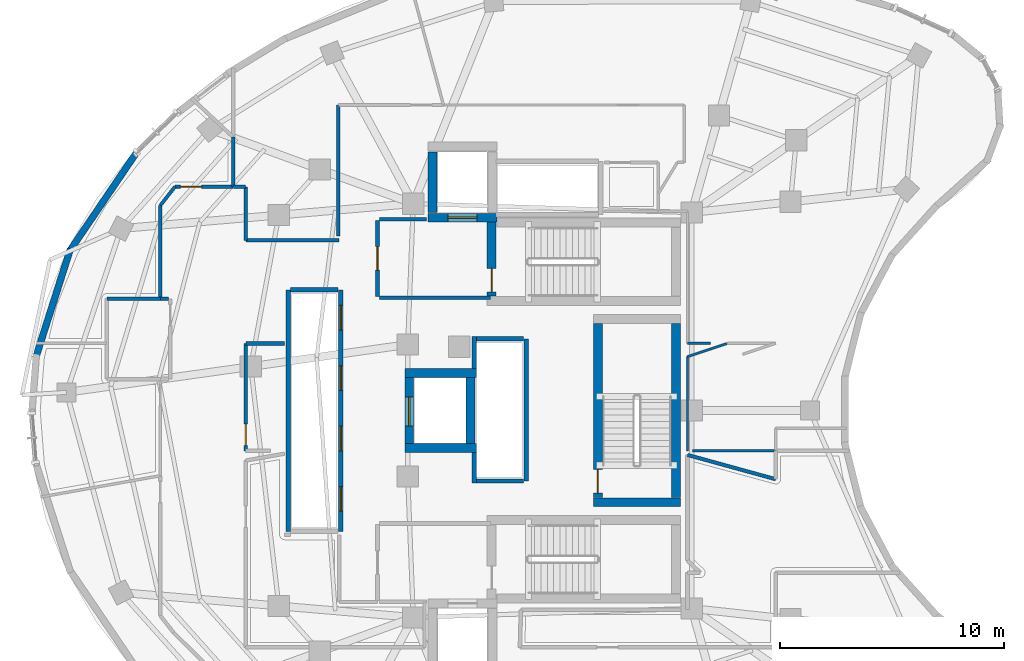
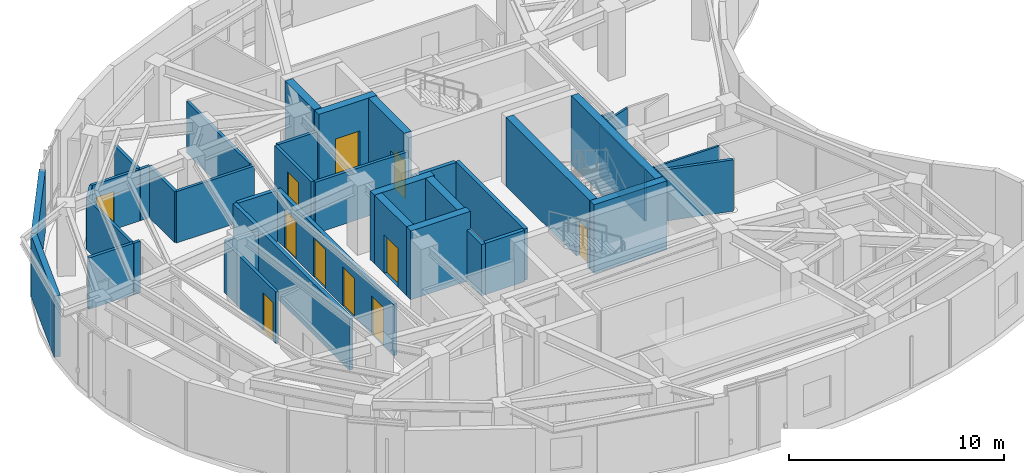
# One storey, part 8 of 13: 40 walls, 11 doors, 11 openings.
"""IFC4 building model written with IfcOpenShell, lengths in metres."""

from ifc_helpers import new_model, si_unit, direction, frame, frame_2d, origin, place, context, subcontext, project, spatial, rectangle, extrude, material, layer, layer_set, type_object, element, fill, save


model = new_model("IFC4")

# Units and contexts
model_context = context("Model", 3, precision=1e-05, world=origin(), true_north=direction((0.0, 1.0)))
body_context = subcontext(model_context, "Body", "Model", "MODEL_VIEW")
ifc_project = project(units=[si_unit("LENGTHUNIT", "METRE"), si_unit("AREAUNIT", "SQUARE_METRE"), si_unit("VOLUMEUNIT", "CUBIC_METRE"), si_unit("PLANEANGLEUNIT", "RADIAN"), si_unit("MASSUNIT", "GRAM", prefix="KILO")], contexts=[model_context])

# Site, building, storey
site_placement = place(None, origin())
site = spatial("IfcSite", under=ifc_project, at=site_placement, CompositionType="ELEMENT")
building_placement = place(site_placement, origin())
building = spatial("IfcBuilding", under=site, at=building_placement, Name="Korentha Bioscience Tower", CompositionType="ELEMENT")
storey_placement = place(building_placement, frame((0.0, 0.0, 260.39990234375)))
storey = spatial("IfcBuildingStorey", under=building, at=storey_placement, Name="L60", CompositionType="ELEMENT", Elevation=260.39990234375)

# Wall, opening, door
ifc_material_1 = material(Name="Double-Stud Acoustic Gypsum", Category="gypsum")
ifc_layer_1 = layer(ifc_material_1, 0.14990234375, Name="Double-Stud Acoustic Gypsum")
ifc_layer_set_1 = layer_set([ifc_layer_1], Name="Double-Stud Acoustic Gypsum (IW-L150)")
wall_type_1 = type_object("IfcWallType", Name="Acoustic Laboratory Partition Wall 150", PredefinedType="PARTITIONING", material=ifc_layer_set_1)
wall_1_placement = place(storey_placement, frame((17.0419921875, 37.010009765625, 0.0), z_axis=(0.0, 0.0, 1.0), x_axis=(-1.0, 0.0, 0.0)))
wall_1 = element("IfcWall", 1, at=wall_1_placement, inside=storey, type_object=wall_type_1, Name="L60 Staff Tea and Espresso Break Lounge 11 Entrance Wall", PredefinedType="PARTITIONING", context=body_context, shape_type="SweptSolid", body=[
    extrude(rectangle(XDim=2.58935546875, YDim=0.14990234375, at=frame_2d((1.294677734375, 0.0))), origin(), (0.0, 0.0, 1.0), 2.91015625),
])
opening_1_placement = place(wall_1_placement, frame((1.3994140625, 0.0, 0.0)))
opening_1 = element("IfcOpeningElement", 2, at=opening_1_placement, cuts=wall_1, Name="Opening ID-10L", PredefinedType="OPENING", context=body_context, shape_type="SweptSolid", body=[
    extrude(rectangle(XDim=0.949951171875, YDim=2.14990234375, at=frame_2d((0.47509765625, 1.074951171875))), frame((0.0, 0.08984375, 0.0), z_axis=(0.0, -1.0, 0.0), x_axis=(1.0, 0.0, 0.0)), (0.0, 0.0, 1.0), 0.1796875),
])
ifc_material_2 = material(Name="Phenolic Laminate Timber Core", Category="wood")
door_type_1 = type_object("IfcDoorType", Name="Laboratory Single Leaf Door 950x2150 Left", OperationType="SINGLE_SWING_LEFT", PredefinedType="DOOR", material=ifc_material_2)
door_1_placement = place(opening_1_placement, origin())
door_1 = element("IfcDoor", 3, at=door_1_placement, inside=storey, type_object=door_type_1, Name="L60 Staff Tea and Espresso Break Lounge 11 Door", OperationType="SINGLE_SWING_LEFT", OverallHeight=2.14990234375, OverallWidth=0.949951171875, PredefinedType="DOOR", context=body_context, shape_type="SweptSolid", body=[
    extrude(rectangle(XDim=0.949951171875, YDim=2.14990234375, at=frame_2d((0.47509765625, 1.074951171875))), frame((0.0, 0.02490234375, 0.0), z_axis=(0.0, -1.0, 0.0), x_axis=(1.0, 0.0, 0.0)), (0.0, 0.0, 1.0), 0.050048828125),
])
fill(opening_1, door_1)

# Walls
wall_2_placement = place(storey_placement, frame((21.739990234375, 40.64990234375, 0.0), z_axis=(0.0, 0.0, 1.0), x_axis=(0.0, -1.0, 0.0)))
element("IfcWall", 4, at=wall_2_placement, inside=storey, type_object=wall_type_1, Name="L60 Interior Partition 074", PredefinedType="PARTITIONING", context=body_context, shape_type="SweptSolid", body=[
    extrude(rectangle(XDim=5.849853515625, YDim=0.14990234375, at=frame_2d((2.9248046875, 0.0))), origin(), (0.0, 0.0, 1.0), 2.91015625),
])
wall_3_placement = place(storey_placement, frame((21.7900390625, 34.610107421875, 0.0), z_axis=(0.0, 0.0, 1.0), x_axis=(-1.0, 0.0, 0.0)))
element("IfcWall", 5, at=wall_3_placement, inside=storey, type_object=wall_type_1, Name="L60 Interior Partition 075", PredefinedType="PARTITIONING", context=body_context, shape_type="SweptSolid", body=[
    extrude(rectangle(XDim=4.179931640625, YDim=0.14990234375, at=frame_2d((2.08984375, 0.0))), origin(), (0.0, 0.0, 1.0), 2.91015625),
])
wall_4_placement = place(storey_placement, frame((17.610107421875, 34.610107421875, 0.0), z_axis=(0.0, 0.0, 1.0), x_axis=(0.0, 1.0, 0.0)))
element("IfcWall", 6, at=wall_4_placement, inside=storey, type_object=wall_type_1, Name="L60 Interior Partition 076", PredefinedType="PARTITIONING", context=body_context, shape_type="SweptSolid", body=[
    extrude(rectangle(XDim=2.389892578125, YDim=0.14990234375, at=frame_2d((1.19482421875, 0.0))), origin(), (0.0, 0.0, 1.0), 2.91015625),
])
wall_5_placement = place(storey_placement, frame((17.60009765625, 37.010009765625, 0.0), z_axis=(0.0, 0.0, 1.0), x_axis=(-1.0, 0.0, 0.0)))
element("IfcWall", 7, at=wall_5_placement, inside=storey, type_object=wall_type_1, Name="L60 Interior Partition 077", PredefinedType="PARTITIONING", context=body_context, shape_type="SweptSolid", body=[
    extrude(rectangle(XDim=0.548095703125, YDim=0.14990234375, at=frame_2d((0.27392578125, 0.0))), origin(), (0.0, 0.0, 1.0), 2.91015625),
])
wall_6_placement = place(storey_placement, frame((17.052001953125, 37.010009765625, 0.0), z_axis=(0.0, 0.0, 1.0), x_axis=(0.0, 1.0, 0.0)))
element("IfcWall", 8, at=wall_6_placement, inside=storey, type_object=wall_type_1, Name="L60 Interior Partition 078", PredefinedType="PARTITIONING", context=body_context, shape_type="SweptSolid", body=[
    extrude(rectangle(XDim=2.210205078125, YDim=0.14990234375, at=frame_2d((1.10498046875, 0.0))), origin(), (0.0, 0.0, 1.0), 2.91015625),
])
wall_7_placement = place(storey_placement, frame((14.44482421875, 37.006103515625, 0.0), z_axis=(0.0, 0.0, 1.0), x_axis=(-0.615836200745, -0.787874211948, 0.0)))
element("IfcWall", 9, at=wall_7_placement, inside=storey, type_object=wall_type_1, Name="L60 Interior Partition 080", PredefinedType="PARTITIONING", context=body_context, shape_type="SweptSolid", body=[
    extrude(rectangle(XDim=1.06005859375, YDim=0.14990234375, at=frame_2d((0.530029296875, 0.0))), origin(), (0.0, 0.0, 1.0), 2.91015625),
])
wall_8_placement = place(storey_placement, frame((13.7900390625, 36.164794921875, 0.0), z_axis=(0.0, 0.0, 1.0), x_axis=(0.0, -1.0, 0.0)))
element("IfcWall", 10, at=wall_8_placement, inside=storey, type_object=wall_type_1, Name="L60 Interior Partition 081", PredefinedType="PARTITIONING", context=body_context, shape_type="SweptSolid", body=[
    extrude(rectangle(XDim=4.15478515625, YDim=0.14990234375, at=frame_2d((2.077392578125, 0.0))), origin(), (0.0, 0.0, 1.0), 2.91015625),
])
ifc_material_3 = material(Name="Fire-Rated Framed Glass", Category="glass")
ifc_layer_2 = layer(ifc_material_3, 0.110107421875, Name="Fire-Rated Framed Glass")
ifc_layer_set_2 = layer_set([ifc_layer_2], Name="Fire-Rated Framed Glass (IW-G110)")
wall_type_2 = type_object("IfcWallType", Name="Demountable Glazed Office Partition 110", PredefinedType="MOVABLE", material=ifc_layer_set_2)
wall_9_placement = place(storey_placement, frame((41.29296875, 25.201904296875, 0.0), z_axis=(0.0, 0.0, 1.0), x_axis=(-1.0, 0.0, 0.0)))
element("IfcWall", 11, at=wall_9_placement, inside=storey, type_object=wall_type_2, Name="L60 Interior Partition 060", PredefinedType="MOVABLE", context=body_context, shape_type="SweptSolid", body=[
    extrude(rectangle(XDim=3.70947265625, YDim=0.110107421875, at=frame_2d((1.854736328125, 0.0))), origin(), (0.0, 0.0, 1.0), 2.91015625),
])
wall_10_placement = place(storey_placement, frame((37.360107421875, 25.201904296875, 0.0), z_axis=(0.0, 0.0, 1.0), x_axis=(0.0, 1.0, 0.0)))
element("IfcWall", 12, at=wall_10_placement, inside=storey, type_object=wall_type_2, Name="L60 Interior Partition 061", PredefinedType="MOVABLE", context=body_context, shape_type="SweptSolid", body=[
    extrude(rectangle(XDim=4.205078125, YDim=0.110107421875, at=frame_2d((2.1025390625, 0.0))), origin(), (0.0, 0.0, 1.0), 2.91015625),
])
wall_11_placement = place(storey_placement, frame((37.360107421875, 29.406982421875, 0.0), z_axis=(0.0, 0.0, 1.0), x_axis=(0.948299905075, 0.317375629238, 0.0)))
element("IfcWall", 13, at=wall_11_placement, inside=storey, type_object=wall_type_2, Name="L60 Interior Partition 062", PredefinedType="MOVABLE", context=body_context, shape_type="SweptSolid", body=[
    extrude(rectangle(XDim=1.85009765625, YDim=0.110107421875, at=frame_2d((0.925048828125, 0.0))), origin(), (0.0, 0.0, 1.0), 2.91015625),
])
wall_12_placement = place(storey_placement, frame((38.381591796875, 30.001953125, 0.0), z_axis=(0.0, 0.0, 1.0), x_axis=(-1.0, 0.0, 0.0)))
element("IfcWall", 14, at=wall_12_placement, inside=storey, type_object=wall_type_2, Name="L60 Interior Partition 063", PredefinedType="MOVABLE", context=body_context, shape_type="SweptSolid", body=[
    extrude(rectangle(XDim=1.021484375, YDim=0.110107421875, at=frame_2d((0.5107421875, 0.0))), origin(), (0.0, 0.0, 1.0), 2.91015625),
])

# Wall, opening, door
ifc_material_4 = material(Name="Gypsum-Clad Steel Stud", Category="steel")
ifc_layer_3 = layer(ifc_material_4, 0.159912109375, Name="Gypsum-Clad Steel Stud")
ifc_layer_set_3 = layer_set([ifc_layer_3], Name="Gypsum-Clad Steel Stud (IW-C160)")
wall_type_3 = type_object("IfcWallType", Name="Fire-Rated Corridor Partition Wall 160", PredefinedType="PARTITIONING", material=ifc_layer_set_3)
wall_13_placement = place(storey_placement, frame((23.5, 32.10009765625, 0.0), z_axis=(0.0, 0.0, 1.0), x_axis=(0.0, 1.0, 0.0)))
wall_13 = element("IfcWall", 15, at=wall_13_placement, inside=storey, type_object=wall_type_3, Name="L60 FFLN-CW Rated Enclosure Wall", PredefinedType="PARTITIONING", context=body_context, shape_type="SweptSolid", body=[
    extrude(rectangle(XDim=3.39990234375, YDim=0.159912109375, at=frame_2d((1.699951171875, 0.0))), origin(), (0.0, 0.0, 1.0), 2.91015625),
])
opening_2_placement = place(wall_13_placement, frame((1.175048828125, 0.0, 0.0)))
opening_2 = element("IfcOpeningElement", 16, at=opening_2_placement, cuts=wall_13, Name="Opening FD-90L", PredefinedType="OPENING", context=body_context, shape_type="SweptSolid", body=[
    extrude(rectangle(XDim=1.050048828125, YDim=2.14990234375, at=frame_2d((0.52490234375, 1.074951171875))), frame((0.0, 0.0947265625, 0.0), z_axis=(0.0, -1.0, 0.0), x_axis=(1.0, 0.0, 0.0)), (0.0, 0.0, 1.0), 0.189697265625),
])
ifc_material_5 = material(Name="Powder-Coated Fire-Rated Steel", Category="steel")
door_type_2 = type_object("IfcDoorType", Name="Stairwell Fire Exit Door 1050x2150 Left", OperationType="SINGLE_SWING_LEFT", PredefinedType="DOOR", material=ifc_material_5)
door_2_placement = place(opening_2_placement, origin())
door_2 = element("IfcDoor", 17, at=door_2_placement, inside=storey, type_object=door_type_2, Name="L60 North Firefighting Lobby Door", OperationType="SINGLE_SWING_LEFT", OverallHeight=2.14990234375, OverallWidth=1.050048828125, PredefinedType="DOOR", context=body_context, shape_type="SweptSolid", body=[
    extrude(rectangle(XDim=1.050048828125, YDim=2.14990234375, at=frame_2d((0.52490234375, 1.074951171875))), frame((0.0, 0.02490234375, 0.0), z_axis=(0.0, -1.0, 0.0), x_axis=(1.0, 0.0, 0.0)), (0.0, 0.0, 1.0), 0.050048828125),
])
fill(opening_2, door_2)

# Walls
wall_14_placement = place(storey_placement, frame((23.580078125, 32.050048828125, 0.0), z_axis=(0.0, 0.0, 1.0), x_axis=(1.0, 0.0, 0.0)))
element("IfcWall", 18, at=wall_14_placement, inside=storey, type_object=wall_type_3, Name="L60 Firefighting Lobby Return Wall FFLN-S", PredefinedType="PARTITIONING", context=body_context, shape_type="SweptSolid", body=[
    extrude(rectangle(XDim=4.969970703125, YDim=0.159912109375, at=frame_2d((2.48486328125, 0.0))), origin(), (0.0, 0.0, 1.0), 2.91015625),
])
wall_15_placement = place(storey_placement, frame((23.580078125, 35.550048828125, 0.0), z_axis=(0.0, 0.0, 1.0), x_axis=(1.0, 0.0, 0.0)))
element("IfcWall", 19, at=wall_15_placement, inside=storey, type_object=wall_type_3, Name="L60 Firefighting Lobby Return Wall FFLN-N", PredefinedType="PARTITIONING", context=body_context, shape_type="SweptSolid", body=[
    extrude(rectangle(XDim=2.119873046875, YDim=0.159912109375, at=frame_2d((1.06005859375, 0.0))), origin(), (0.0, 0.0, 1.0), 2.91015625),
])

# Wall, opening, door
wall_16_placement = place(storey_placement, frame((17.610107421875, 25.201904296875, 0.0), z_axis=(0.0, 0.0, 1.0), x_axis=(0.0, 1.0, 0.0)))
wall_16 = element("IfcWall", 20, at=wall_16_placement, inside=storey, type_object=wall_type_3, Name="L60 Consumables Archive Room 12 Entrance Wall", PredefinedType="PARTITIONING", context=body_context, shape_type="SweptSolid", body=[
    extrude(rectangle(XDim=4.796142578125, YDim=0.159912109375, at=frame_2d((2.39794921875, 0.0))), origin(), (0.0, 0.0, 1.0), 2.91015625),
])
opening_3_placement = place(wall_16_placement, frame((0.239990234375, 0.0, 0.0)))
opening_3 = element("IfcOpeningElement", 21, at=opening_3_placement, cuts=wall_16, Name="Opening ID-10R", PredefinedType="OPENING", context=body_context, shape_type="SweptSolid", body=[
    extrude(rectangle(XDim=0.949951171875, YDim=2.14990234375, at=frame_2d((0.47509765625, 1.074951171875))), frame((0.0, 0.0947265625, 0.0), z_axis=(0.0, -1.0, 0.0), x_axis=(1.0, 0.0, 0.0)), (0.0, 0.0, 1.0), 0.189697265625),
])
door_type_3 = type_object("IfcDoorType", Name="Laboratory Single Leaf Door 950x2150 Right", OperationType="SINGLE_SWING_RIGHT", PredefinedType="DOOR", material=ifc_material_2)
door_3_placement = place(opening_3_placement, origin())
door_3 = element("IfcDoor", 22, at=door_3_placement, inside=storey, type_object=door_type_3, Name="L60 Consumables Archive Room 12 Door", OperationType="SINGLE_SWING_RIGHT", OverallHeight=2.14990234375, OverallWidth=0.949951171875, PredefinedType="DOOR", context=body_context, shape_type="SweptSolid", body=[
    extrude(rectangle(XDim=0.949951171875, YDim=2.14990234375, at=frame_2d((0.47509765625, 1.074951171875))), frame((0.0, 0.02490234375, 0.0), z_axis=(0.0, -1.0, 0.0), x_axis=(1.0, 0.0, 0.0)), (0.0, 0.0, 1.0), 0.050048828125),
])
fill(opening_3, door_3)

# Walls
wall_17_placement = place(storey_placement, frame((13.800048828125, 31.989990234375, 0.0), z_axis=(0.0, 0.0, 1.0), x_axis=(1.0, 0.0, 0.0)))
element("IfcWall", 23, at=wall_17_placement, inside=storey, type_object=wall_type_3, Name="L60 Interior Partition 017", PredefinedType="PARTITIONING", context=body_context, shape_type="SweptSolid", body=[
    extrude(rectangle(XDim=0.35693359375, YDim=0.159912109375, at=frame_2d((0.178466796875, 0.0))), origin(), (0.0, 0.0, 1.0), 2.91015625),
])
wall_18_placement = place(storey_placement, frame((11.39990234375, 32.0, 0.0), z_axis=(0.0, 0.0, 1.0), x_axis=(1.0, 0.0, 0.0)))
element("IfcWall", 24, at=wall_18_placement, inside=storey, type_object=wall_type_3, Name="L60 Interior Partition 021", PredefinedType="PARTITIONING", context=body_context, shape_type="SweptSolid", body=[
    extrude(rectangle(XDim=2.39013671875, YDim=0.159912109375, at=frame_2d((1.195068359375, 0.0))), origin(), (0.0, 0.0, 1.0), 2.91015625),
])
wall_19_placement = place(storey_placement, frame((37.360107421875, 25.0146484375, 0.0), z_axis=(0.0, 0.0, 1.0), x_axis=(0.964088745179, -0.26558029185, 0.0)))
element("IfcWall", 25, at=wall_19_placement, inside=storey, type_object=wall_type_3, Name="L60 Interior Partition 048", PredefinedType="PARTITIONING", context=body_context, shape_type="SweptSolid", body=[
    extrude(rectangle(XDim=4.08349609375, YDim=0.159912109375, at=frame_2d((2.041748046875, 0.0))), origin(), (0.0, 0.0, 1.0), 2.91015625),
])
wall_20_placement = place(storey_placement, frame((17.610107421875, 29.998046875, 0.0), z_axis=(0.0, 0.0, 1.0), x_axis=(1.0, 0.0, 0.0)))
element("IfcWall", 26, at=wall_20_placement, inside=storey, type_object=wall_type_3, Name="L60 Interior Partition 083", PredefinedType="PARTITIONING", context=body_context, shape_type="SweptSolid", body=[
    extrude(rectangle(XDim=1.72998046875, YDim=0.159912109375, at=frame_2d((0.864990234375, 0.0))), origin(), (0.0, 0.0, 1.0), 2.91015625),
])
ifc_material_6 = material(Name="Honed Limestone Precast Concrete C40", Category="masonry")
ifc_layer_4 = layer(ifc_material_6, 0.300048828125, Name="Honed Limestone Precast Concrete C40")
ifc_layer_set_4 = layer_set([ifc_layer_4], Name="Honed Limestone Precast Concrete C40 (EW-ST300)")
wall_type_4 = type_object("IfcWallType", Name="Honed Limestone Cavity Spandrel Wall 300", PredefinedType="STANDARD", material=ifc_layer_set_4)
wall_21_placement = place(storey_placement, frame((12.72509765625, 38.533935546875, 0.0), z_axis=(0.0, 0.0, 1.0), x_axis=(-0.561547791281, -0.827444305139, 0.0)))
element("IfcWall", 27, at=wall_21_placement, inside=storey, type_object=wall_type_4, Name="L60 Limestone Perimeter Closure Wall 14", PredefinedType="STANDARD", context=body_context, shape_type="SweptSolid", body=[
    extrude(rectangle(XDim=5.4072265625, YDim=0.300048828125, at=frame_2d((2.70361328125, 0.0))), origin(), (0.0, 0.0, 1.0), 3.47021484375),
])
wall_22_placement = place(storey_placement, frame((9.775390625, 34.23828125, 0.0), z_axis=(0.0, 0.0, 1.0), x_axis=(-0.303876387353, -0.952711467974, 0.0)))
element("IfcWall", 28, at=wall_22_placement, inside=storey, type_object=wall_type_4, Name="L60 Limestone Perimeter Closure Wall 16", PredefinedType="STANDARD", context=body_context, shape_type="SweptSolid", body=[
    extrude(rectangle(XDim=5.15234375, YDim=0.300048828125, at=frame_2d((2.576171875, 0.0))), origin(), (0.0, 0.0, 1.0), 3.47021484375),
])
ifc_material_7 = material(Name="Autoclaved Aerated Concrete Block C25", Category="concrete")
ifc_layer_5 = layer(ifc_material_7, 0.199951171875, Name="Autoclaved Aerated Concrete Block C25")
ifc_layer_set_5 = layer_set([ifc_layer_5], Name="Autoclaved Aerated Concrete Block C25 (IW-S200)")
wall_type_5 = type_object("IfcWallType", Name="Lift and Riser Shaft Enclosure Wall 200", PredefinedType="PARTITIONING", material=ifc_layer_set_5)
wall_23_placement = place(storey_placement, frame((19.5, 21.60009765625, 0.0), z_axis=(0.0, 0.0, 1.0), x_axis=(0.0, 1.0, 0.0)))
element("IfcWall", 29, at=wall_23_placement, inside=storey, type_object=wall_type_5, Name="L60 Lift Bank MID Shaft Wall -X", PredefinedType="PARTITIONING", context=body_context, shape_type="SweptSolid", body=[
    extrude(rectangle(XDim=10.7998046875, YDim=0.199951171875, at=frame_2d((5.39990234375, 0.0))), origin(), (0.0, 0.0, 1.0), 2.91015625),
])

# Wall, openings, doors
wall_24_placement = place(storey_placement, frame((21.85009765625, 21.60009765625, 0.0), z_axis=(0.0, 0.0, 1.0), x_axis=(0.0, 1.0, 0.0)))
wall_24 = element("IfcWall", 30, at=wall_24_placement, inside=storey, type_object=wall_type_5, Name="L60 Lift Bank MID Shaft Wall +X", PredefinedType="PARTITIONING", context=body_context, shape_type="SweptSolid", body=[
    extrude(rectangle(XDim=10.7998046875, YDim=0.199951171875, at=frame_2d((5.39990234375, 0.0))), origin(), (0.0, 0.0, 1.0), 2.91015625),
])
opening_4_placement = place(wall_24_placement, frame((0.89990234375, 0.0, 0.0)))
opening_4 = element("IfcOpeningElement", 31, at=opening_4_placement, cuts=wall_24, Name="Opening LD-11", PredefinedType="OPENING", context=body_context, shape_type="SweptSolid", body=[
    extrude(rectangle(XDim=1.10009765625, YDim=2.199951171875, at=frame_2d((0.550048828125, 1.10009765625))), frame((0.0, 0.11474609375, 0.0), z_axis=(0.0, -1.0, 0.0), x_axis=(1.0, 0.0, 0.0)), (0.0, 0.0, 1.0), 0.229736328125),
])
opening_5_placement = place(wall_24_placement, frame((3.60009765625, 0.0, 0.0)))
opening_5 = element("IfcOpeningElement", 32, at=opening_5_placement, cuts=wall_24, Name="Opening LD-11", PredefinedType="OPENING", context=body_context, shape_type="SweptSolid", body=[
    extrude(rectangle(XDim=1.10009765625, YDim=2.199951171875, at=frame_2d((0.550048828125, 1.10009765625))), frame((0.0, 0.11474609375, 0.0), z_axis=(0.0, -1.0, 0.0), x_axis=(1.0, 0.0, 0.0)), (0.0, 0.0, 1.0), 0.229736328125),
])
opening_6_placement = place(wall_24_placement, frame((6.300048828125, 0.0, 0.0)))
opening_6 = element("IfcOpeningElement", 33, at=opening_6_placement, cuts=wall_24, Name="Opening LD-11", PredefinedType="OPENING", context=body_context, shape_type="SweptSolid", body=[
    extrude(rectangle(XDim=1.10009765625, YDim=2.199951171875, at=frame_2d((0.550048828125, 1.10009765625))), frame((0.0, 0.11474609375, 0.0), z_axis=(0.0, -1.0, 0.0), x_axis=(1.0, 0.0, 0.0)), (0.0, 0.0, 1.0), 0.229736328125),
])
opening_7_placement = place(wall_24_placement, frame((9.0, 0.0, 0.0)))
opening_7 = element("IfcOpeningElement", 34, at=opening_7_placement, cuts=wall_24, Name="Opening LD-11", PredefinedType="OPENING", context=body_context, shape_type="SweptSolid", body=[
    extrude(rectangle(XDim=1.10009765625, YDim=2.199951171875, at=frame_2d((0.550048828125, 1.10009765625))), frame((0.0, 0.11474609375, 0.0), z_axis=(0.0, -1.0, 0.0), x_axis=(1.0, 0.0, 0.0)), (0.0, 0.0, 1.0), 0.229736328125),
])
ifc_material_8 = material(Name="Brushed Stainless Steel 304", Category="steel")
door_type_4 = type_object("IfcDoorType", Name="Passenger Lift Sliding Landing Door 1100x2200", OperationType="DOUBLE_DOOR_SLIDING", PredefinedType="DOOR", material=ifc_material_8)
door_4_placement = place(opening_4_placement, origin())
door_4 = element("IfcDoor", 35, at=door_4_placement, inside=storey, type_object=door_type_4, Name="L60 PL-M1 Sliding Lift Landing Door", OperationType="DOUBLE_DOOR_SLIDING", OverallHeight=2.199951171875, OverallWidth=1.10009765625, PredefinedType="DOOR", context=body_context, shape_type="SweptSolid", body=[
    extrude(rectangle(XDim=1.10009765625, YDim=2.199951171875, at=frame_2d((0.550048828125, 1.10009765625))), frame((0.0, 0.02490234375, 0.0), z_axis=(0.0, -1.0, 0.0), x_axis=(1.0, 0.0, 0.0)), (0.0, 0.0, 1.0), 0.050048828125),
])
fill(opening_4, door_4)
door_5_placement = place(opening_5_placement, origin())
door_5 = element("IfcDoor", 36, at=door_5_placement, inside=storey, type_object=door_type_4, Name="L60 PL-M2 Sliding Lift Landing Door", OperationType="DOUBLE_DOOR_SLIDING", OverallHeight=2.199951171875, OverallWidth=1.10009765625, PredefinedType="DOOR", context=body_context, shape_type="SweptSolid", body=[
    extrude(rectangle(XDim=1.10009765625, YDim=2.199951171875, at=frame_2d((0.550048828125, 1.10009765625))), frame((0.0, 0.02490234375, 0.0), z_axis=(0.0, -1.0, 0.0), x_axis=(1.0, 0.0, 0.0)), (0.0, 0.0, 1.0), 0.050048828125),
])
fill(opening_5, door_5)
door_6_placement = place(opening_6_placement, origin())
door_6 = element("IfcDoor", 37, at=door_6_placement, inside=storey, type_object=door_type_4, Name="L60 PL-M3 Sliding Lift Landing Door", OperationType="DOUBLE_DOOR_SLIDING", OverallHeight=2.199951171875, OverallWidth=1.10009765625, PredefinedType="DOOR", context=body_context, shape_type="SweptSolid", body=[
    extrude(rectangle(XDim=1.10009765625, YDim=2.199951171875, at=frame_2d((0.550048828125, 1.10009765625))), frame((0.0, 0.02490234375, 0.0), z_axis=(0.0, -1.0, 0.0), x_axis=(1.0, 0.0, 0.0)), (0.0, 0.0, 1.0), 0.050048828125),
])
fill(opening_6, door_6)
door_7_placement = place(opening_7_placement, origin())
door_7 = element("IfcDoor", 38, at=door_7_placement, inside=storey, type_object=door_type_4, Name="L60 PL-M4 Sliding Lift Landing Door", OperationType="DOUBLE_DOOR_SLIDING", OverallHeight=2.199951171875, OverallWidth=1.10009765625, PredefinedType="DOOR", context=body_context, shape_type="SweptSolid", body=[
    extrude(rectangle(XDim=1.10009765625, YDim=2.199951171875, at=frame_2d((0.550048828125, 1.10009765625))), frame((0.0, 0.02490234375, 0.0), z_axis=(0.0, -1.0, 0.0), x_axis=(1.0, 0.0, 0.0)), (0.0, 0.0, 1.0), 0.050048828125),
])
fill(opening_7, door_7)

# Walls
wall_25_placement = place(storey_placement, frame((19.6201171875, 32.39990234375, 0.0), z_axis=(0.0, 0.0, 1.0), x_axis=(1.0, 0.0, 0.0)))
element("IfcWall", 39, at=wall_25_placement, inside=storey, type_object=wall_type_5, Name="L60 Lift Bank MID Shaft Wall +Y", PredefinedType="PARTITIONING", context=body_context, shape_type="SweptSolid", body=[
    extrude(rectangle(XDim=2.10986328125, YDim=0.199951171875, at=frame_2d((1.054931640625, 0.0))), origin(), (0.0, 0.0, 1.0), 2.91015625),
])
wall_26_placement = place(storey_placement, frame((27.830078125, 23.75, 0.0), z_axis=(0.0, 0.0, 1.0), x_axis=(0.0, 1.0, 0.0)))
element("IfcWall", 40, at=wall_26_placement, inside=storey, type_object=wall_type_5, Name="L60 Lift Bank HIGH Shaft Wall -XS", PredefinedType="PARTITIONING", context=body_context, shape_type="SweptSolid", body=[
    extrude(rectangle(XDim=1.365966796875, YDim=0.199951171875, at=frame_2d((0.68310546875, 0.0))), origin(), (0.0, 0.0, 1.0), 2.91015625),
])
wall_27_placement = place(storey_placement, frame((27.830078125, 28.884033203125, 0.0), z_axis=(0.0, 0.0, 1.0), x_axis=(0.0, 1.0, 0.0)))
element("IfcWall", 41, at=wall_27_placement, inside=storey, type_object=wall_type_5, Name="L60 Lift Bank HIGH Shaft Wall -XN", PredefinedType="PARTITIONING", context=body_context, shape_type="SweptSolid", body=[
    extrude(rectangle(XDim=1.416015625, YDim=0.199951171875, at=frame_2d((0.7080078125, 0.0))), origin(), (0.0, 0.0, 1.0), 2.91015625),
])
wall_28_placement = place(storey_placement, frame((30.14990234375, 23.85009765625, 0.0), z_axis=(0.0, 0.0, 1.0), x_axis=(0.0, 1.0, 0.0)))
element("IfcWall", 42, at=wall_28_placement, inside=storey, type_object=wall_type_5, Name="L60 Lift Bank HIGH Shaft Wall +X", PredefinedType="PARTITIONING", context=body_context, shape_type="SweptSolid", body=[
    extrude(rectangle(XDim=6.349853515625, YDim=0.199951171875, at=frame_2d((3.1748046875, 0.0))), origin(), (0.0, 0.0, 1.0), 2.91015625),
])
for number, where, z_axis, x_axis, name in (
    (43, (27.93408203125, 23.85009765625, 0.0), (0.0, 0.0, 1.0), (1.0, 0.0, 0.0), "L60 Lift Bank HIGH Shaft Wall -Y"),
    (44, (27.93408203125, 30.199951171875, 0.0), (0.0, 0.0, 1.0), (1.0, 0.0, 0.0), "L60 Lift Bank HIGH Shaft Wall +Y"),
):
    element("IfcWall", number, at=place(storey_placement, frame(where, z_axis=z_axis, x_axis=x_axis)), inside=storey, type_object=wall_type_5, Name=name, PredefinedType="PARTITIONING", context=body_context, shape_type="SweptSolid", body=[
        extrude(rectangle(XDim=2.095947265625, YDim=0.199951171875, at=frame_2d((1.0478515625, 0.0))), origin(), (0.0, 0.0, 1.0), 2.91015625),
    ])

# Wall, opening, door
ifc_material_9 = material(Name="Concrete C65", Category="concrete")
ifc_layer_6 = layer(ifc_material_9, 0.39990234375, Name="Concrete C65")
ifc_layer_set_6 = layer_set([ifc_layer_6], Name="Concrete C65 (CW-C65)")
wall_type_6 = type_object("IfcWallType", Name="Mid-Rise Core Shear Wall 400", PredefinedType="SHEAR", material=ifc_layer_set_6)
wall_29_placement = place(storey_placement, frame((28.60009765625, 32.110107421875, 0.0), z_axis=(0.0, 0.0, 1.0), x_axis=(0.0, 1.0, 0.0)))
wall_29 = element("IfcWall", 45, at=wall_29_placement, inside=storey, type_object=wall_type_6, Name="L60 Core Shear Wall ST1-W", PredefinedType="SHEAR", context=body_context, shape_type="SweptSolid", body=[
    extrude(rectangle(XDim=3.307861328125, YDim=0.39990234375, at=frame_2d((1.65380859375, 0.0))), origin(), (0.0, 0.0, 1.0), 3.900146484375),
])
opening_8_placement = place(wall_29_placement, frame((0.199951171875, 0.0, 0.0)))
opening_8 = element("IfcOpeningElement", 46, at=opening_8_placement, cuts=wall_29, Name="Opening FD-90L", PredefinedType="OPENING", context=body_context, shape_type="SweptSolid", body=[
    extrude(rectangle(XDim=1.050048828125, YDim=2.14990234375, at=frame_2d((0.52490234375, 1.074951171875))), frame((0.0, 0.21484375, 0.0), z_axis=(0.0, -1.0, 0.0), x_axis=(1.0, 0.0, 0.0)), (0.0, 0.0, 1.0), 0.4296875),
])
door_8_placement = place(opening_8_placement, origin())
door_8 = element("IfcDoor", 47, at=door_8_placement, inside=storey, type_object=door_type_2, Name="L60 ST-1 Fire Exit Stair Door", OperationType="SINGLE_SWING_LEFT", OverallHeight=2.14990234375, OverallWidth=1.050048828125, PredefinedType="DOOR", context=body_context, shape_type="SweptSolid", body=[
    extrude(rectangle(XDim=1.050048828125, YDim=2.14990234375, at=frame_2d((0.52490234375, 1.074951171875))), frame((0.0, 0.02490234375, 0.0), z_axis=(0.0, -1.0, 0.0), x_axis=(1.0, 0.0, 0.0)), (0.0, 0.0, 1.0), 0.050048828125),
])
fill(opening_8, door_8)

# Walls
wall_30_placement = place(storey_placement, frame((33.14990234375, 22.89990234375, 0.0), z_axis=(0.0, 0.0, 1.0), x_axis=(1.0, 0.0, 0.0)))
element("IfcWall", 48, at=wall_30_placement, inside=storey, type_object=wall_type_6, Name="L60 Core Shear Wall ST3-S", PredefinedType="SHEAR", context=body_context, shape_type="SweptSolid", body=[
    extrude(rectangle(XDim=3.900146484375, YDim=0.39990234375, at=frame_2d((1.9501953125, 0.0))), origin(), (0.0, 0.0, 1.0), 3.900146484375),
])
wall_31_placement = place(storey_placement, frame((36.85009765625, 23.110107421875, 0.0), z_axis=(0.0, 0.0, 1.0), x_axis=(0.0, 1.0, 0.0)))
element("IfcWall", 49, at=wall_31_placement, inside=storey, type_object=wall_type_6, Name="L60 Core Shear Wall ST3-E", PredefinedType="SHEAR", context=body_context, shape_type="SweptSolid", body=[
    extrude(rectangle(XDim=7.77978515625, YDim=0.39990234375, at=frame_2d((3.889892578125, 0.0))), origin(), (0.0, 0.0, 1.0), 3.900146484375),
])

# Wall, opening, door
wall_32_placement = place(storey_placement, frame((33.35009765625, 23.110107421875, 0.0), z_axis=(0.0, 0.0, 1.0), x_axis=(0.0, 1.0, 0.0)))
wall_32 = element("IfcWall", 50, at=wall_32_placement, inside=storey, type_object=wall_type_6, Name="L60 Core Shear Wall ST3-W", PredefinedType="SHEAR", context=body_context, shape_type="SweptSolid", body=[
    extrude(rectangle(XDim=7.77978515625, YDim=0.39990234375, at=frame_2d((3.889892578125, 0.0))), origin(), (0.0, 0.0, 1.0), 3.900146484375),
])
opening_9_placement = place(wall_32_placement, frame((0.199951171875, 0.0, 0.0)))
opening_9 = element("IfcOpeningElement", 51, at=opening_9_placement, cuts=wall_32, Name="Opening FD-90L", PredefinedType="OPENING", context=body_context, shape_type="SweptSolid", body=[
    extrude(rectangle(XDim=1.050048828125, YDim=2.14990234375, at=frame_2d((0.52490234375, 1.074951171875))), frame((0.0, 0.21484375, 0.0), z_axis=(0.0, -1.0, 0.0), x_axis=(1.0, 0.0, 0.0)), (0.0, 0.0, 1.0), 0.4296875),
])
door_9_placement = place(opening_9_placement, origin())
door_9 = element("IfcDoor", 52, at=door_9_placement, inside=storey, type_object=door_type_2, Name="L60 ST-3 Fire Exit Stair Door", OperationType="SINGLE_SWING_LEFT", OverallHeight=2.14990234375, OverallWidth=1.050048828125, PredefinedType="DOOR", context=body_context, shape_type="SweptSolid", body=[
    extrude(rectangle(XDim=1.050048828125, YDim=2.14990234375, at=frame_2d((0.52490234375, 1.074951171875))), frame((0.0, 0.02490234375, 0.0), z_axis=(0.0, -1.0, 0.0), x_axis=(1.0, 0.0, 0.0)), (0.0, 0.0, 1.0), 0.050048828125),
])
fill(opening_9, door_9)

wall_33_placement = place(storey_placement, frame((25.75, 35.6201171875, 0.0), z_axis=(0.0, 0.0, 1.0), x_axis=(1.0, 0.0, 0.0)))
wall_33 = element("IfcWall", 53, at=wall_33_placement, inside=storey, type_object=wall_type_6, Name="L60 Core Shear Wall FFL2-S", PredefinedType="SHEAR", context=body_context, shape_type="SweptSolid", body=[
    extrude(rectangle(XDim=3.10009765625, YDim=0.39990234375, at=frame_2d((1.550048828125, 0.0))), origin(), (0.0, 0.0, 1.0), 3.900146484375),
])
opening_10_placement = place(wall_33_placement, frame((0.89990234375, 0.0, 0.0)))
opening_10 = element("IfcOpeningElement", 54, at=opening_10_placement, cuts=wall_33, Name="Opening LD-13", PredefinedType="OPENING", context=body_context, shape_type="SweptSolid", body=[
    extrude(rectangle(XDim=1.300048828125, YDim=2.199951171875, at=frame_2d((0.64990234375, 1.10009765625))), frame((0.0, 0.21484375, 0.0), z_axis=(0.0, -1.0, 0.0), x_axis=(1.0, 0.0, 0.0)), (0.0, 0.0, 1.0), 0.4296875),
])
ifc_material_10 = material(Name="Brushed Stainless Steel 316", Category="steel")
door_type_5 = type_object("IfcDoorType", Name="Service & Firefighting Lift Landing Door 1300x2300", OperationType="DOUBLE_DOOR_SLIDING", PredefinedType="DOOR", material=ifc_material_10)
door_10_placement = place(opening_10_placement, origin())
door_10 = element("IfcDoor", 55, at=door_10_placement, inside=storey, type_object=door_type_5, Name="L60 FFL-2 Sliding Lift Landing Door", OperationType="DOUBLE_DOOR_SLIDING", OverallHeight=2.199951171875, OverallWidth=1.300048828125, PredefinedType="DOOR", context=body_context, shape_type="SweptSolid", body=[
    extrude(rectangle(XDim=1.300048828125, YDim=2.199951171875, at=frame_2d((0.64990234375, 1.10009765625))), frame((0.0, 0.02490234375, 0.0), z_axis=(0.0, -1.0, 0.0), x_axis=(1.0, 0.0, 0.0)), (0.0, 0.0, 1.0), 0.050048828125),
])
fill(opening_10, door_10)

# Walls
wall_34_placement = place(storey_placement, frame((25.949951171875, 35.860107421875, 0.0), z_axis=(0.0, 0.0, 1.0), x_axis=(0.0, 1.0, 0.0)))
element("IfcWall", 56, at=wall_34_placement, inside=storey, type_object=wall_type_6, Name="L60 Core Shear Wall FFL2-W", PredefinedType="SHEAR", context=body_context, shape_type="SweptSolid", body=[
    extrude(rectangle(XDim=2.699951171875, YDim=0.39990234375, at=frame_2d((1.35009765625, 0.0))), origin(), (0.0, 0.0, 1.0), 3.900146484375),
])
for number, where, z_axis, x_axis, name in (
    (57, (24.719970703125, 28.679931640625, 0.0), (0.0, 0.0, 1.0), (1.0, 0.0, 0.0), "L60 Core Shear Wall SVL1-N"),
    (58, (24.719970703125, 25.320068359375, 0.0), (0.0, 0.0, 1.0), (1.0, 0.0, 0.0), "L60 Core Shear Wall SVL1-S"),
):
    element("IfcWall", number, at=place(storey_placement, frame(where, z_axis=z_axis, x_axis=x_axis)), inside=storey, type_object=wall_type_6, Name=name, PredefinedType="SHEAR", context=body_context, shape_type="SweptSolid", body=[
        extrude(rectangle(XDim=3.2099609375, YDim=0.39990234375, at=frame_2d((1.60498046875, 0.0))), origin(), (0.0, 0.0, 1.0), 3.900146484375),
    ])

# Wall, opening, door
wall_35_placement = place(storey_placement, frame((24.919921875, 25.52197265625, 0.0), z_axis=(0.0, 0.0, 1.0), x_axis=(0.0, 1.0, 0.0)))
wall_35 = element("IfcWall", 59, at=wall_35_placement, inside=storey, type_object=wall_type_6, Name="L60 Core Shear Wall SVL1-W", PredefinedType="SHEAR", context=body_context, shape_type="SweptSolid", body=[
    extrude(rectangle(XDim=2.9560546875, YDim=0.39990234375, at=frame_2d((1.47802734375, 0.0))), origin(), (0.0, 0.0, 1.0), 3.900146484375),
])
opening_11_placement = place(wall_35_placement, frame((0.7900390625, 0.0, 0.0)))
opening_11 = element("IfcOpeningElement", 60, at=opening_11_placement, cuts=wall_35, Name="Opening LD-13", PredefinedType="OPENING", context=body_context, shape_type="SweptSolid", body=[
    extrude(rectangle(XDim=1.300048828125, YDim=2.199951171875, at=frame_2d((0.64990234375, 1.10009765625))), frame((0.0, 0.21484375, 0.0), z_axis=(0.0, -1.0, 0.0), x_axis=(1.0, 0.0, 0.0)), (0.0, 0.0, 1.0), 0.4296875),
])
door_11_placement = place(opening_11_placement, origin())
door_11 = element("IfcDoor", 61, at=door_11_placement, inside=storey, type_object=door_type_5, Name="L60 SVL-1 Sliding Lift Landing Door", OperationType="DOUBLE_DOOR_SLIDING", OverallHeight=2.199951171875, OverallWidth=1.300048828125, PredefinedType="DOOR", context=body_context, shape_type="SweptSolid", body=[
    extrude(rectangle(XDim=1.300048828125, YDim=2.199951171875, at=frame_2d((0.64990234375, 1.10009765625))), frame((0.0, 0.02490234375, 0.0), z_axis=(0.0, -1.0, 0.0), x_axis=(1.0, 0.0, 0.0)), (0.0, 0.0, 1.0), 0.050048828125),
])
fill(opening_11, door_11)

# Wall
wall_36_placement = place(storey_placement, frame((27.64990234375, 25.52197265625, 0.0), z_axis=(0.0, 0.0, 1.0), x_axis=(0.0, 1.0, 0.0)))
element("IfcWall", 62, at=wall_36_placement, inside=storey, type_object=wall_type_6, Name="L60 Core Shear Wall SVL1-E", PredefinedType="SHEAR", context=body_context, shape_type="SweptSolid", body=[
    extrude(rectangle(XDim=2.9560546875, YDim=0.39990234375, at=frame_2d((1.47802734375, 0.0))), origin(), (0.0, 0.0, 1.0), 3.900146484375),
])

save(model, "model.ifc")
